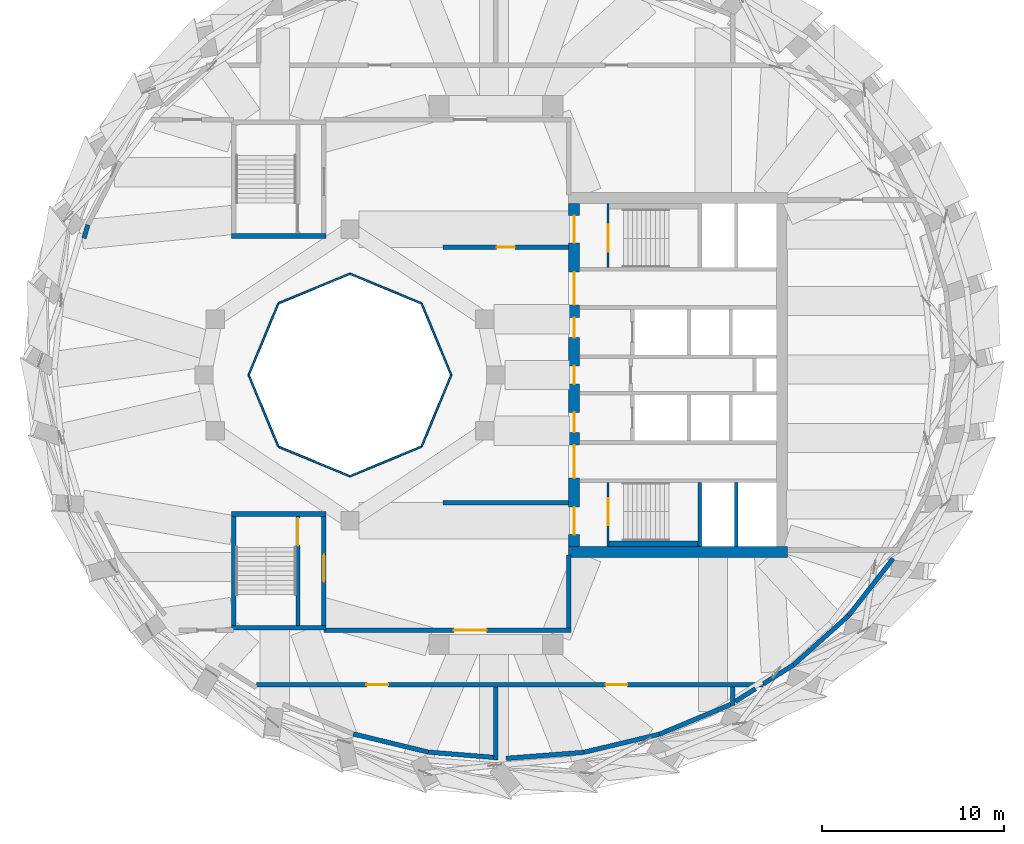
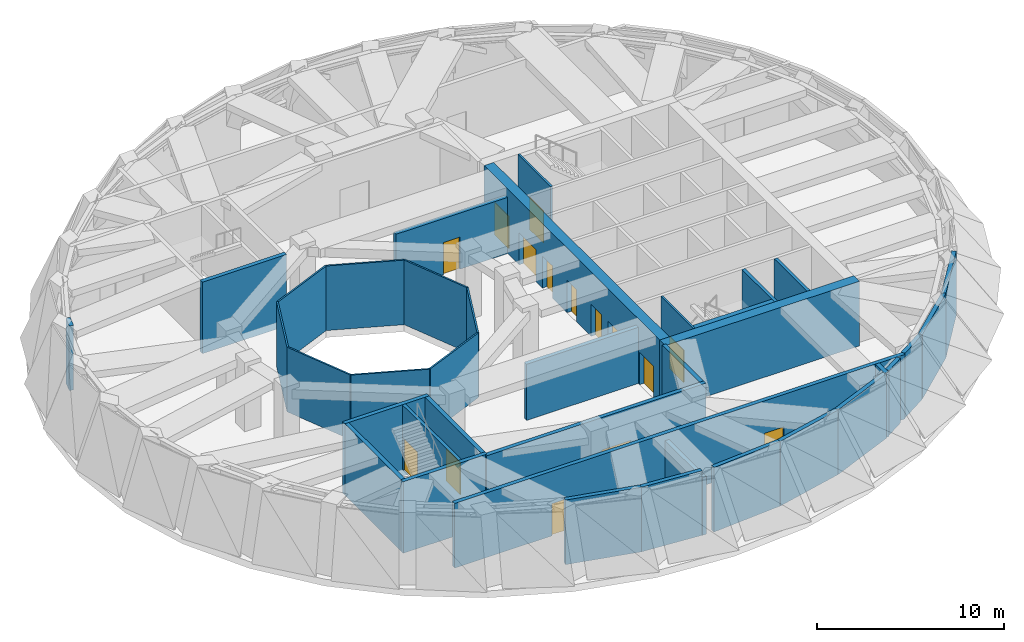
# One storey, part 5 of 14: 38 walls, 15 doors, 15 openings.
"""IFC4 building model written with IfcOpenShell, lengths in metres."""

from ifc_helpers import new_model, si_unit, direction, frame, frame_2d, origin, place, context, subcontext, project, spatial, rectangle, extrude, material, layer, layer_set, type_object, element, fill, save


model = new_model("IFC4")

# Units and contexts
model_context = context("Model", 3, precision=1e-05, world=origin(), true_north=direction((0.0, 1.0)))
body_context = subcontext(model_context, "Body", "Model", "MODEL_VIEW")
ifc_project = project(units=[si_unit("LENGTHUNIT", "METRE"), si_unit("AREAUNIT", "SQUARE_METRE"), si_unit("VOLUMEUNIT", "CUBIC_METRE"), si_unit("PLANEANGLEUNIT", "RADIAN"), si_unit("MASSUNIT", "GRAM", prefix="KILO")], contexts=[model_context])

# Site, building, storey
site_placement = place(None, origin())
site = spatial("IfcSite", under=ifc_project, at=site_placement, CompositionType="ELEMENT")
building_placement = place(site_placement, origin())
building = spatial("IfcBuilding", under=site, at=building_placement, Name="Taillehof Tower", CompositionType="ELEMENT")
storey_placement = place(building_placement, frame((0.0, 0.0, 228.800048828125)))
storey = spatial("IfcBuildingStorey", under=building, at=storey_placement, Name="L65", CompositionType="ELEMENT", Elevation=228.800048828125)

# Walls
ifc_material_1 = material(Name="Fire-resisting glass in steel frame", Category="steel")
ifc_layer_1 = layer(ifc_material_1, 0.10009765625)
ifc_layer_set_1 = layer_set([ifc_layer_1], Name="Atrium fire-resisting screen EI 60 100")
wall_type_1 = type_object("IfcWallType", Name="Atrium fire-resisting screen EI 60 100", PredefinedType="PARTITIONING", material=ifc_layer_set_1)
for number, where, z_axis, x_axis, name in (
    (1, (-2.44580078125, 0.0, 0.0), (0.0, 0.0, 1.0), (-0.382730523909, -0.923860025149, 0.0), "Atrium screen"),
    (2, (-4.07275390625, -3.92724609375, 0.0), (0.0, 0.0, 1.0), (-0.923860025149, -0.382730523909, 0.0), "Atrium screen"),
    (3, (-8.0, -5.55419921875, 0.0), (0.0, 0.0, 1.0), (-0.923860025149, 0.382730523909, 0.0), "Atrium screen"),
    (4, (-11.92724609375, -3.92724609375, 0.0), (0.0, 0.0, 1.0), (-0.382730523909, 0.923860025149, 0.0), "Atrium screen"),
    (5, (-13.55419921875, 0.0, 0.0), (0.0, 0.0, 1.0), (0.382730523909, 0.923860025149, 0.0), "Atrium screen"),
    (6, (-11.92724609375, 3.92724609375, 0.0), (0.0, 0.0, 1.0), (0.923860025149, 0.382730523909, 0.0), "Atrium screen"),
    (7, (-8.0, 5.55419921875, 0.0), (0.0, 0.0, 1.0), (0.923860025149, -0.382730523909, 0.0), "Atrium screen"),
    (8, (-4.07275390625, 3.92724609375, 0.0), (0.0, 0.0, 1.0), (0.382730523909, -0.923860025149, 0.0), "Atrium screen"),
):
    element("IfcWall", number, at=place(storey_placement, frame(where, z_axis=z_axis, x_axis=x_axis)), inside=storey, type_object=wall_type_1, Name=name, PredefinedType="PARTITIONING", context=body_context, shape_type="SweptSolid", body=[
        extrude(rectangle(XDim=4.2509765625, YDim=0.10009765625, at=frame_2d((2.12548828125, 0.0))), origin(), (0.0, 0.0, 1.0), 4.219970703125),
    ])
ifc_material_2 = material(Name="Calcium silicate masonry", Category="masonry")
ifc_layer_2 = layer(ifc_material_2, 0.300048828125)
ifc_layer_set_2 = layer_set([ifc_layer_2], Name="Compartment wall lining calcium silicate 300")
wall_type_2 = type_object("IfcWallType", Name="Compartment wall lining calcium silicate 300", PredefinedType="PARTITIONING", material=ifc_layer_set_2)
wall_1_placement = place(storey_placement, frame((6.219970703125, -9.25, 0.0), z_axis=(0.0, 0.0, 1.0), x_axis=(1.0, 0.0, 0.0)))
element("IfcWall", 9, at=wall_1_placement, inside=storey, type_object=wall_type_2, Name="Compartment wall FW", PredefinedType="PARTITIONING", context=body_context, shape_type="SweptSolid", body=[
    extrude(rectangle(XDim=4.880126953125, YDim=0.300048828125, at=frame_2d((2.43994140625, 0.0))), origin(), (0.0, 0.0, 1.0), 4.219970703125),
])

# Wall, openings, doors
ifc_material_3 = material(Name="Concrete C80/95", Category="concrete")
ifc_layer_3 = layer(ifc_material_3, 0.60009765625)
ifc_layer_set_3 = layer_set([ifc_layer_3], Name="Core wall C80/95 600")
wall_type_3 = type_object("IfcWallType", Name="Core wall C80/95 600", PredefinedType="SHEAR", material=ifc_layer_set_3)
wall_2_placement = place(storey_placement, frame((4.300048828125, -9.39990234375, 0.0), z_axis=(0.0, 0.0, 1.0), x_axis=(0.0, 1.0, 0.0)))
wall_2 = element("IfcWall", 10, at=wall_2_placement, inside=storey, type_object=wall_type_3, Name="Core wall CW01", PredefinedType="SHEAR", context=body_context, shape_type="SweptSolid", body=[
    extrude(rectangle(XDim=18.7998046875, YDim=0.60009765625, at=frame_2d((9.39990234375, 0.0))), origin(), (0.0, 0.0, 1.0), 4.219970703125),
])
opening_1_placement = place(wall_2_placement, frame((0.64990234375, 0.0, 0.0)))
opening_1 = element("IfcOpeningElement", 11, at=opening_1_placement, cuts=wall_2, Name="Opening D6501", PredefinedType="OPENING", context=body_context, shape_type="SweptSolid", body=[
    extrude(rectangle(XDim=1.5, YDim=2.10009765625, at=frame_2d((0.75, 1.050048828125))), frame((0.0, 0.31005859375, 0.0), z_axis=(0.0, -1.0, 0.0), x_axis=(1.0, 0.0, 0.0)), (0.0, 0.0, 1.0), 0.6201171875),
])
opening_2_placement = place(wall_2_placement, frame((3.75, 0.0, 0.0)))
opening_2 = element("IfcOpeningElement", 12, at=opening_2_placement, cuts=wall_2, Name="Opening D6502", PredefinedType="OPENING", context=body_context, shape_type="SweptSolid", body=[
    extrude(rectangle(XDim=1.800048828125, YDim=2.10009765625, at=frame_2d((0.89990234375, 1.050048828125))), frame((0.0, 0.31005859375, 0.0), z_axis=(0.0, -1.0, 0.0), x_axis=(1.0, 0.0, 0.0)), (0.0, 0.0, 1.0), 0.6201171875),
])
opening_3_placement = place(wall_2_placement, frame((6.25, 0.0, 0.0)))
opening_3 = element("IfcOpeningElement", 13, at=opening_3_placement, cuts=wall_2, Name="Opening D6503", PredefinedType="OPENING", context=body_context, shape_type="SweptSolid", body=[
    extrude(rectangle(XDim=1.10009765625, YDim=2.10009765625, at=frame_2d((0.550048828125, 1.050048828125))), frame((0.0, 0.31005859375, 0.0), z_axis=(0.0, -1.0, 0.0), x_axis=(1.0, 0.0, 0.0)), (0.0, 0.0, 1.0), 0.6201171875),
])
opening_4_placement = place(wall_2_placement, frame((8.89990234375, 0.0, 0.0)))
opening_4 = element("IfcOpeningElement", 14, at=opening_4_placement, cuts=wall_2, Name="Opening D6504", PredefinedType="OPENING", context=body_context, shape_type="SweptSolid", body=[
    extrude(rectangle(XDim=1.0, YDim=2.10009765625, at=frame_2d((0.5, 1.050048828125))), frame((0.0, 0.31005859375, 0.0), z_axis=(0.0, -1.0, 0.0), x_axis=(1.0, 0.0, 0.0)), (0.0, 0.0, 1.0), 0.6201171875),
])
opening_5_placement = place(wall_2_placement, frame((11.449951171875, 0.0, 0.0)))
opening_5 = element("IfcOpeningElement", 15, at=opening_5_placement, cuts=wall_2, Name="Opening D6505", PredefinedType="OPENING", context=body_context, shape_type="SweptSolid", body=[
    extrude(rectangle(XDim=1.10009765625, YDim=2.10009765625, at=frame_2d((0.550048828125, 1.050048828125))), frame((0.0, 0.31005859375, 0.0), z_axis=(0.0, -1.0, 0.0), x_axis=(1.0, 0.0, 0.0)), (0.0, 0.0, 1.0), 0.6201171875),
])
opening_6_placement = place(wall_2_placement, frame((13.25, 0.0, 0.0)))
opening_6 = element("IfcOpeningElement", 16, at=opening_6_placement, cuts=wall_2, Name="Opening D6506", PredefinedType="OPENING", context=body_context, shape_type="SweptSolid", body=[
    extrude(rectangle(XDim=1.800048828125, YDim=2.10009765625, at=frame_2d((0.89990234375, 1.050048828125))), frame((0.0, 0.31005859375, 0.0), z_axis=(0.0, -1.0, 0.0), x_axis=(1.0, 0.0, 0.0)), (0.0, 0.0, 1.0), 0.6201171875),
])
opening_7_placement = place(wall_2_placement, frame((16.64990234375, 0.0, 0.0)))
opening_7 = element("IfcOpeningElement", 17, at=opening_7_placement, cuts=wall_2, Name="Opening D6507", PredefinedType="OPENING", context=body_context, shape_type="SweptSolid", body=[
    extrude(rectangle(XDim=1.5, YDim=2.10009765625, at=frame_2d((0.75, 1.050048828125))), frame((0.0, 0.31005859375, 0.0), z_axis=(0.0, -1.0, 0.0), x_axis=(1.0, 0.0, 0.0)), (0.0, 0.0, 1.0), 0.6201171875),
])
ifc_material_4 = material(Name="Steel-faced fire door", Category="steel")
door_type_1 = type_object("IfcDoorType", Name="Firefighting lobby door 1100x2100", OperationType="SINGLE_SWING_RIGHT", PredefinedType="DOOR", material=ifc_material_4)
door_1_placement = place(opening_3_placement, origin())
door_1 = element("IfcDoor", 18, at=door_1_placement, inside=storey, type_object=door_type_1, Name="Firefighting lobby door FFL-S", OperationType="SINGLE_SWING_RIGHT", OverallHeight=2.10009765625, OverallWidth=1.10009765625, PredefinedType="DOOR", context=body_context, shape_type="SweptSolid", body=[
    extrude(rectangle(XDim=1.10009765625, YDim=2.10009765625, at=frame_2d((0.550048828125, 1.050048828125))), frame((0.0, 0.02490234375, 0.0), z_axis=(0.0, -1.0, 0.0), x_axis=(1.0, 0.0, 0.0)), (0.0, 0.0, 1.0), 0.050048828125),
])
fill(opening_3, door_1)
door_2_placement = place(opening_5_placement, origin())
door_2 = element("IfcDoor", 19, at=door_2_placement, inside=storey, type_object=door_type_1, Name="Firefighting lobby door FFL-N", OperationType="SINGLE_SWING_LEFT", OverallHeight=2.10009765625, OverallWidth=1.10009765625, PredefinedType="DOOR", context=body_context, shape_type="SweptSolid", body=[
    extrude(rectangle(XDim=1.10009765625, YDim=2.10009765625, at=frame_2d((0.550048828125, 1.050048828125))), frame((0.0, 0.02490234375, 0.0), z_axis=(0.0, -1.0, 0.0), x_axis=(1.0, 0.0, 0.0)), (0.0, 0.0, 1.0), 0.050048828125),
])
fill(opening_5, door_2)
ifc_material_5 = material(Name="Steel-faced fire door", Category="steel")
door_type_2 = type_object("IfcDoorType", Name="Lift lobby door 1800x2100", OperationType="DOUBLE_DOOR_SINGLE_SWING", PredefinedType="DOOR", material=ifc_material_5)
door_3_placement = place(opening_2_placement, origin())
door_3 = element("IfcDoor", 20, at=door_3_placement, inside=storey, type_object=door_type_2, Name="Lift lobby door LL-S", OperationType="DOUBLE_DOOR_SINGLE_SWING", OverallHeight=2.10009765625, OverallWidth=1.800048828125, PredefinedType="DOOR", context=body_context, shape_type="SweptSolid", body=[
    extrude(rectangle(XDim=1.800048828125, YDim=2.10009765625, at=frame_2d((0.89990234375, 1.050048828125))), frame((0.0, 0.02490234375, 0.0), z_axis=(0.0, -1.0, 0.0), x_axis=(1.0, 0.0, 0.0)), (0.0, 0.0, 1.0), 0.050048828125),
])
fill(opening_2, door_3)
door_4_placement = place(opening_6_placement, origin())
door_4 = element("IfcDoor", 21, at=door_4_placement, inside=storey, type_object=door_type_2, Name="Lift lobby door LL-N", OperationType="DOUBLE_DOOR_SINGLE_SWING", OverallHeight=2.10009765625, OverallWidth=1.800048828125, PredefinedType="DOOR", context=body_context, shape_type="SweptSolid", body=[
    extrude(rectangle(XDim=1.800048828125, YDim=2.10009765625, at=frame_2d((0.89990234375, 1.050048828125))), frame((0.0, 0.02490234375, 0.0), z_axis=(0.0, -1.0, 0.0), x_axis=(1.0, 0.0, 0.0)), (0.0, 0.0, 1.0), 0.050048828125),
])
fill(opening_6, door_4)
ifc_material_6 = material(Name="Steel-faced fire door", Category="steel")
door_type_3 = type_object("IfcDoorType", Name="Service door 1000x2100", OperationType="SINGLE_SWING_RIGHT", PredefinedType="DOOR", material=ifc_material_6)
door_5_placement = place(opening_4_placement, origin())
door_5 = element("IfcDoor", 22, at=door_5_placement, inside=storey, type_object=door_type_3, Name="Service door SV", OperationType="SINGLE_SWING_RIGHT", OverallHeight=2.10009765625, OverallWidth=1.0, PredefinedType="DOOR", context=body_context, shape_type="SweptSolid", body=[
    extrude(rectangle(XDim=1.0, YDim=2.10009765625, at=frame_2d((0.5, 1.050048828125))), frame((0.0, 0.02490234375, 0.0), z_axis=(0.0, -1.0, 0.0), x_axis=(1.0, 0.0, 0.0)), (0.0, 0.0, 1.0), 0.050048828125),
])
fill(opening_4, door_5)
ifc_material_7 = material(Name="Steel-faced fire door", Category="steel")
door_type_4 = type_object("IfcDoorType", Name="Stair door 1500x2100", OperationType="DOUBLE_DOOR_SINGLE_SWING", PredefinedType="DOOR", material=ifc_material_7)
door_6_placement = place(opening_1_placement, origin())
door_6 = element("IfcDoor", 23, at=door_6_placement, inside=storey, type_object=door_type_4, Name="Stair door S2", OperationType="DOUBLE_DOOR_SINGLE_SWING", OverallHeight=2.10009765625, OverallWidth=1.5, PredefinedType="DOOR", context=body_context, shape_type="SweptSolid", body=[
    extrude(rectangle(XDim=1.5, YDim=2.10009765625, at=frame_2d((0.75, 1.050048828125))), frame((0.0, 0.02490234375, 0.0), z_axis=(0.0, -1.0, 0.0), x_axis=(1.0, 0.0, 0.0)), (0.0, 0.0, 1.0), 0.050048828125),
])
fill(opening_1, door_6)
door_7_placement = place(opening_7_placement, origin())
door_7 = element("IfcDoor", 24, at=door_7_placement, inside=storey, type_object=door_type_4, Name="Stair door S1", OperationType="DOUBLE_DOOR_SINGLE_SWING", OverallHeight=2.10009765625, OverallWidth=1.5, PredefinedType="DOOR", context=body_context, shape_type="SweptSolid", body=[
    extrude(rectangle(XDim=1.5, YDim=2.10009765625, at=frame_2d((0.75, 1.050048828125))), frame((0.0, 0.02490234375, 0.0), z_axis=(0.0, -1.0, 0.0), x_axis=(1.0, 0.0, 0.0)), (0.0, 0.0, 1.0), 0.050048828125),
])
fill(opening_7, door_7)

# Walls
wall_3_placement = place(storey_placement, frame((4.0, -9.699951171875, 0.0), z_axis=(0.0, 0.0, 1.0), x_axis=(1.0, 0.0, 0.0)))
element("IfcWall", 25, at=wall_3_placement, inside=storey, type_object=wall_type_3, Name="Core wall CW07", PredefinedType="SHEAR", context=body_context, shape_type="SweptSolid", body=[
    extrude(rectangle(XDim=12.0, YDim=0.60009765625, at=frame_2d((6.0, 0.0))), origin(), (0.0, 0.0, 1.0), 4.219970703125),
])
ifc_material_8 = material(Name="Calcium silicate blockwork", Category="masonry")
ifc_layer_4 = layer(ifc_material_8, 0.25)
ifc_layer_set_4 = layer_set([ifc_layer_4], Name="Fire-resisting wall EI 120 250 mm")
wall_type_4 = type_object("IfcWallType", Name="Fire-resisting wall EI 120 250 mm", PredefinedType="PARTITIONING", material=ifc_layer_set_4)
wall_4_placement = place(storey_placement, frame((14.686279296875, -16.936767578125, 0.0), z_axis=(0.0, 0.0, 1.0), x_axis=(0.847218267391, 0.53124495988, 0.0)))
element("IfcWall", 26, at=wall_4_placement, inside=storey, type_object=wall_type_4, Name="Wall TRB / L65-05", PredefinedType="PARTITIONING", context=body_context, shape_type="SweptSolid", body=[
    extrude(rectangle(XDim=1.9541015625, YDim=0.25, at=frame_2d((0.97705078125, 0.0))), origin(), (0.0, 0.0, 1.0), 4.219970703125),
])
wall_5_placement = place(storey_placement, frame((16.341796875, -15.898681640625, 0.0), z_axis=(0.0, 0.0, 1.0), x_axis=(0.744902138238, 0.667173743824, 0.0)))
element("IfcWall", 27, at=wall_5_placement, inside=storey, type_object=wall_type_4, Name="Wall TRB / L65-05", PredefinedType="PARTITIONING", context=body_context, shape_type="SweptSolid", body=[
    extrude(rectangle(XDim=4.048583984375, YDim=0.25, at=frame_2d((2.0244140625, 0.0))), origin(), (0.0, 0.0, 1.0), 4.219970703125),
])
wall_6_placement = place(storey_placement, frame((19.357666015625, -13.197509765625, 0.0), z_axis=(0.0, 0.0, 1.0), x_axis=(0.615665549252, 0.78800757069, 0.0)))
element("IfcWall", 28, at=wall_6_placement, inside=storey, type_object=wall_type_4, Name="Wall TRB / L65-05", PredefinedType="PARTITIONING", context=body_context, shape_type="SweptSolid", body=[
    extrude(rectangle(XDim=3.965087890625, YDim=0.25, at=frame_2d((1.982421875, 0.0))), origin(), (0.0, 0.0, 1.0), 4.219970703125),
])
wall_7_placement = place(storey_placement, frame((-22.37548828125, 8.23583984375, 0.0), z_axis=(0.0, 0.0, 1.0), x_axis=(-0.284077498489, -0.958801321887, 0.0)))
element("IfcWall", 29, at=wall_7_placement, inside=storey, type_object=wall_type_4, Name="Wall TRB / L65-13", PredefinedType="PARTITIONING", context=body_context, shape_type="SweptSolid", body=[
    extrude(rectangle(XDim=0.767578125, YDim=0.25, at=frame_2d((0.3837890625, 0.0))), origin(), (0.0, 0.0, 1.0), 4.219970703125),
])
wall_8_placement = place(storey_placement, frame((-7.813720703125, -19.69189453125, 0.0), z_axis=(0.0, 0.0, 1.0), x_axis=(0.971926727308, -0.235283736675, 0.0)))
element("IfcWall", 30, at=wall_8_placement, inside=storey, type_object=wall_type_4, Name="Wall TRB / L65-11", PredefinedType="PARTITIONING", context=body_context, shape_type="SweptSolid", body=[
    extrude(rectangle(XDim=4.241943359375, YDim=0.25, at=frame_2d((2.12109375, 0.0))), origin(), (0.0, 0.0, 1.0), 4.219970703125),
])
wall_9_placement = place(storey_placement, frame((-3.69091796875, -20.68994140625, 0.0), z_axis=(0.0, 0.0, 1.0), x_axis=(0.996823497961, -0.079642412771, 0.0)))
element("IfcWall", 31, at=wall_9_placement, inside=storey, type_object=wall_type_4, Name="Wall TRB / L65-11", PredefinedType="PARTITIONING", context=body_context, shape_type="SweptSolid", body=[
    extrude(rectangle(XDim=3.586669921875, YDim=0.25, at=frame_2d((1.79345703125, 0.0))), origin(), (0.0, 0.0, 1.0), 4.219970703125),
])
wall_10_placement = place(storey_placement, frame((0.568603515625, -21.030517578125, 0.0), z_axis=(0.0, 0.0, 1.0), x_axis=(0.997014711733, 0.077211816374, 0.0)))
element("IfcWall", 32, at=wall_10_placement, inside=storey, type_object=wall_type_4, Name="Wall TRB / L65-12", PredefinedType="PARTITIONING", context=body_context, shape_type="SweptSolid", body=[
    extrude(rectangle(XDim=4.27490234375, YDim=0.25, at=frame_2d((2.137451171875, 0.0))), origin(), (0.0, 0.0, 1.0), 4.219970703125),
])
wall_11_placement = place(storey_placement, frame((4.830810546875, -20.700439453125, 0.0), z_axis=(0.0, 0.0, 1.0), x_axis=(0.972536224535, 0.232751567056, 0.0)))
element("IfcWall", 33, at=wall_11_placement, inside=storey, type_object=wall_type_4, Name="Wall TRB / L65-12", PredefinedType="PARTITIONING", context=body_context, shape_type="SweptSolid", body=[
    extrude(rectangle(XDim=4.250244140625, YDim=0.25, at=frame_2d((2.125, 0.0))), origin(), (0.0, 0.0, 1.0), 4.219970703125),
])
wall_12_placement = place(storey_placement, frame((8.96435546875, -19.711181640625, 0.0), z_axis=(0.0, 0.0, 1.0), x_axis=(0.922871881565, 0.38510711525, 0.0)))
element("IfcWall", 34, at=wall_12_placement, inside=storey, type_object=wall_type_4, Name="Wall TRB / L65-12", PredefinedType="PARTITIONING", context=body_context, shape_type="SweptSolid", body=[
    extrude(rectangle(XDim=4.26513671875, YDim=0.25, at=frame_2d((2.132568359375, 0.0))), origin(), (0.0, 0.0, 1.0), 4.219970703125),
])
wall_13_placement = place(storey_placement, frame((13.1376953125, -17.907470703125, 0.0), z_axis=(0.0, 0.0, 1.0), x_axis=(0.84728708842, 0.531135189756, 0.0)))
element("IfcWall", 35, at=wall_13_placement, inside=storey, type_object=wall_type_4, Name="Wall TRB / X1", PredefinedType="PARTITIONING", context=body_context, shape_type="SweptSolid", body=[
    extrude(rectangle(XDim=1.312744140625, YDim=0.25, at=frame_2d((0.65625, 0.0))), origin(), (0.0, 0.0, 1.0), 4.219970703125),
])

# Wall, openings, doors
wall_14_placement = place(storey_placement, frame((-13.125, -17.0, 0.0), z_axis=(0.0, 0.0, 1.0), x_axis=(1.0, 0.0, 0.0)))
wall_14 = element("IfcWall", 36, at=wall_14_placement, inside=storey, type_object=wall_type_4, Name="Wall L65-05 / L65-11", PredefinedType="PARTITIONING", context=body_context, shape_type="SweptSolid", body=[
    extrude(rectangle(XDim=27.83544921875, YDim=0.25, at=frame_2d((13.917724609375, 0.0))), origin(), (0.0, 0.0, 1.0), 4.219970703125),
])
opening_8_placement = place(wall_14_placement, frame((6.02490234375, 0.0, 0.0)))
opening_8 = element("IfcOpeningElement", 37, at=opening_8_placement, cuts=wall_14, Name="Opening D6541", PredefinedType="OPENING", context=body_context, shape_type="SweptSolid", body=[
    extrude(rectangle(XDim=1.199951171875, YDim=2.10009765625, at=frame_2d((0.60009765625, 1.050048828125))), frame((0.0, 0.135009765625, 0.0), z_axis=(0.0, -1.0, 0.0), x_axis=(1.0, 0.0, 0.0)), (0.0, 0.0, 1.0), 0.27001953125),
])
opening_9_placement = place(wall_14_placement, frame((19.14990234375, 0.0, 0.0)))
opening_9 = element("IfcOpeningElement", 38, at=opening_9_placement, cuts=wall_14, Name="Opening D6542", PredefinedType="OPENING", context=body_context, shape_type="SweptSolid", body=[
    extrude(rectangle(XDim=1.199951171875, YDim=2.10009765625, at=frame_2d((0.60009765625, 1.050048828125))), frame((0.0, 0.135009765625, 0.0), z_axis=(0.0, -1.0, 0.0), x_axis=(1.0, 0.0, 0.0)), (0.0, 0.0, 1.0), 0.27001953125),
])
ifc_material_9 = material(Name="Hollow metal door set")
door_type_5 = type_object("IfcDoorType", Name="Single door 1200 x 2100 FD120S", OperationType="SINGLE_SWING_LEFT", PredefinedType="DOOR", material=ifc_material_9)
door_8_placement = place(opening_8_placement, origin())
door_8 = element("IfcDoor", 39, at=door_8_placement, inside=storey, type_object=door_type_5, Name="Door D6541", OperationType="SINGLE_SWING_RIGHT", OverallHeight=2.10009765625, OverallWidth=1.199951171875, PredefinedType="DOOR", context=body_context, shape_type="SweptSolid", body=[
    extrude(rectangle(XDim=1.199951171875, YDim=2.10009765625, at=frame_2d((0.60009765625, 1.050048828125))), frame((0.0, 0.02490234375, 0.0), z_axis=(0.0, -1.0, 0.0), x_axis=(1.0, 0.0, 0.0)), (0.0, 0.0, 1.0), 0.050048828125),
])
fill(opening_8, door_8)
door_9_placement = place(opening_9_placement, origin())
door_9 = element("IfcDoor", 40, at=door_9_placement, inside=storey, type_object=door_type_5, Name="Door D6542", OperationType="SINGLE_SWING_LEFT", OverallHeight=2.10009765625, OverallWidth=1.199951171875, PredefinedType="DOOR", context=body_context, shape_type="SweptSolid", body=[
    extrude(rectangle(XDim=1.199951171875, YDim=2.10009765625, at=frame_2d((0.60009765625, 1.050048828125))), frame((0.0, 0.02490234375, 0.0), z_axis=(0.0, -1.0, 0.0), x_axis=(1.0, 0.0, 0.0)), (0.0, 0.0, 1.0), 0.050048828125),
])
fill(opening_9, door_9)

# Wall, opening, door
wall_15_placement = place(storey_placement, frame((-9.425048828125, -14.0, 0.0), z_axis=(0.0, 0.0, 1.0), x_axis=(1.0, 0.0, 0.0)))
wall_15 = element("IfcWall", 41, at=wall_15_placement, inside=storey, type_object=wall_type_4, Name="Wall L65-02 / L65-05", PredefinedType="PARTITIONING", context=body_context, shape_type="SweptSolid", body=[
    extrude(rectangle(XDim=13.550048828125, YDim=0.25, at=frame_2d((6.77490234375, 0.0))), origin(), (0.0, 0.0, 1.0), 4.219970703125),
])
opening_10_placement = place(wall_15_placement, frame((7.125, 0.0, 0.0)))
opening_10 = element("IfcOpeningElement", 42, at=opening_10_placement, cuts=wall_15, Name="Opening D6544", PredefinedType="OPENING", context=body_context, shape_type="SweptSolid", body=[
    extrude(rectangle(XDim=1.800048828125, YDim=2.10009765625, at=frame_2d((0.89990234375, 1.050048828125))), frame((0.0, 0.135009765625, 0.0), z_axis=(0.0, -1.0, 0.0), x_axis=(1.0, 0.0, 0.0)), (0.0, 0.0, 1.0), 0.27001953125),
])
ifc_material_10 = material(Name="Hollow metal door set")
door_type_6 = type_object("IfcDoorType", Name="Double door 1800 x 2100 FD120S", OperationType="DOUBLE_DOOR_SINGLE_SWING", PredefinedType="DOOR", material=ifc_material_10)
door_10_placement = place(opening_10_placement, origin())
door_10 = element("IfcDoor", 43, at=door_10_placement, inside=storey, type_object=door_type_6, Name="Door D6544", OperationType="DOUBLE_DOOR_SINGLE_SWING", OverallHeight=2.10009765625, OverallWidth=1.800048828125, PredefinedType="DOOR", context=body_context, shape_type="SweptSolid", body=[
    extrude(rectangle(XDim=1.800048828125, YDim=2.10009765625, at=frame_2d((0.89990234375, 1.050048828125))), frame((0.0, 0.02490234375, 0.0), z_axis=(0.0, -1.0, 0.0), x_axis=(1.0, 0.0, 0.0)), (0.0, 0.0, 1.0), 0.050048828125),
])
fill(opening_10, door_10)

# Wall
wall_16_placement = place(storey_placement, frame((-2.902099609375, -7.0, 0.0), z_axis=(0.0, 0.0, 1.0), x_axis=(1.0, 0.0, 0.0)))
element("IfcWall", 44, at=wall_16_placement, inside=storey, type_object=wall_type_4, Name="Wall L65-02 / L65-03", PredefinedType="PARTITIONING", context=body_context, shape_type="SweptSolid", body=[
    extrude(rectangle(XDim=6.904052734375, YDim=0.25, at=frame_2d((3.4521484375, 0.0))), origin(), (0.0, 0.0, 1.0), 3.669921875),
])

# Wall, opening, door
wall_17_placement = place(storey_placement, frame((-2.902099609375, 7.0, 0.0), z_axis=(0.0, 0.0, 1.0), x_axis=(1.0, 0.0, 0.0)))
wall_17 = element("IfcWall", 45, at=wall_17_placement, inside=storey, type_object=wall_type_4, Name="Wall L65-01 / L65-03", PredefinedType="PARTITIONING", context=body_context, shape_type="SweptSolid", body=[
    extrude(rectangle(XDim=6.904052734375, YDim=0.25, at=frame_2d((3.4521484375, 0.0))), origin(), (0.0, 0.0, 1.0), 3.669921875),
])
opening_11_placement = place(wall_17_placement, frame((2.951904296875, 0.0, 0.0)))
opening_11 = element("IfcOpeningElement", 46, at=opening_11_placement, cuts=wall_17, Name="Opening D6545", PredefinedType="OPENING", context=body_context, shape_type="SweptSolid", body=[
    extrude(rectangle(XDim=1.0, YDim=2.10009765625, at=frame_2d((0.5, 1.050048828125))), frame((0.0, 0.135009765625, 0.0), z_axis=(0.0, -1.0, 0.0), x_axis=(1.0, 0.0, 0.0)), (0.0, 0.0, 1.0), 0.27001953125),
])
ifc_material_11 = material(Name="Hollow metal door set")
door_type_7 = type_object("IfcDoorType", Name="Single door 1000 x 2100 FD120S", OperationType="SINGLE_SWING_LEFT", PredefinedType="DOOR", material=ifc_material_11)
door_11_placement = place(opening_11_placement, origin())
door_11 = element("IfcDoor", 47, at=door_11_placement, inside=storey, type_object=door_type_7, Name="Door D6545", OperationType="SINGLE_SWING_RIGHT", OverallHeight=2.10009765625, OverallWidth=1.0, PredefinedType="DOOR", context=body_context, shape_type="SweptSolid", body=[
    extrude(rectangle(XDim=1.0, YDim=2.10009765625, at=frame_2d((0.5, 1.050048828125))), frame((0.0, 0.02490234375, 0.0), z_axis=(0.0, -1.0, 0.0), x_axis=(1.0, 0.0, 0.0)), (0.0, 0.0, 1.0), 0.050048828125),
])
fill(opening_11, door_11)

# Walls
wall_18_placement = place(storey_placement, frame((0.0, -21.110107421875, 0.0), z_axis=(0.0, 0.0, 1.0), x_axis=(0.0, 1.0, 0.0)))
element("IfcWall", 48, at=wall_18_placement, inside=storey, type_object=wall_type_4, Name="Wall L65-11 / L65-12", PredefinedType="PARTITIONING", context=body_context, shape_type="SweptSolid", body=[
    extrude(rectangle(XDim=3.985107421875, YDim=0.25, at=frame_2d((1.99267578125, 0.0))), origin(), (0.0, 0.0, 1.0), 3.77001953125),
])
wall_19_placement = place(storey_placement, frame((4.0, -13.875, 0.0), z_axis=(0.0, 0.0, 1.0), x_axis=(0.0, 1.0, 0.0)))
element("IfcWall", 49, at=wall_19_placement, inside=storey, type_object=wall_type_4, Name="Wall L65-02 / L65-05", PredefinedType="PARTITIONING", context=body_context, shape_type="SweptSolid", body=[
    extrude(rectangle(XDim=4.0, YDim=0.25, at=frame_2d((2.0, 0.0))), origin(), (0.0, 0.0, 1.0), 4.219970703125),
])
wall_20_placement = place(storey_placement, frame((13.0, -18.118896484375, 0.0), z_axis=(0.0, 0.0, 1.0), x_axis=(0.0, 1.0, 0.0)))
element("IfcWall", 50, at=wall_20_placement, inside=storey, type_object=wall_type_4, Name="Wall L65-12 / X1", PredefinedType="PARTITIONING", context=body_context, shape_type="SweptSolid", body=[
    extrude(rectangle(XDim=0.993896484375, YDim=0.25, at=frame_2d((0.4970703125, 0.0))), origin(), (0.0, 0.0, 1.0), 4.219970703125),
])
ifc_material_12 = material(Name="Concrete C50/60", Category="concrete")
ifc_layer_5 = layer(ifc_material_12, 0.199951171875)
ifc_layer_set_5 = layer_set([ifc_layer_5], Name="Shaft wall C50/60 200")
wall_type_5 = type_object("IfcWallType", Name="Shaft wall C50/60 200", PredefinedType="SHEAR", material=ifc_layer_set_5)
for number, where, z_axis, x_axis, name in (
    (51, (11.199951171875, -9.39990234375, 0.0), (0.0, 0.0, 1.0), (0.0, 1.0, 0.0), "Shaft wall SW"),
    (52, (13.199951171875, -9.39990234375, 0.0), (0.0, 0.0, 1.0), (0.0, 1.0, 0.0), "Shaft wall SW"),
):
    element("IfcWall", number, at=place(storey_placement, frame(where, z_axis=z_axis, x_axis=x_axis)), inside=storey, type_object=wall_type_5, Name=name, PredefinedType="SHEAR", context=body_context, shape_type="SweptSolid", body=[
        extrude(rectangle(XDim=3.5, YDim=0.199951171875, at=frame_2d((1.75, 0.0))), origin(), (0.0, 0.0, 1.0), 4.219970703125),
    ])

# Wall, opening, door
wall_21_placement = place(storey_placement, frame((-10.85009765625, -13.75, 0.0), z_axis=(0.0, 0.0, 1.0), x_axis=(0.0, 1.0, 0.0)))
wall_21 = element("IfcWall", 53, at=wall_21_placement, inside=storey, type_object=wall_type_5, Name="Shaft wall SW", PredefinedType="SHEAR", context=body_context, shape_type="SweptSolid", body=[
    extrude(rectangle(XDim=6.0, YDim=0.199951171875, at=frame_2d((3.0, 0.0))), origin(), (0.0, 0.0, 1.0), 4.219970703125),
])
opening_12_placement = place(wall_21_placement, frame((4.39990234375, 0.0, 0.0)))
opening_12 = element("IfcOpeningElement", 54, at=opening_12_placement, cuts=wall_21, Name="Opening D6511", PredefinedType="OPENING", context=body_context, shape_type="SweptSolid", body=[
    extrude(rectangle(XDim=1.5, YDim=2.10009765625, at=frame_2d((0.75, 1.050048828125))), frame((0.0, 0.10986328125, 0.0), z_axis=(0.0, -1.0, 0.0), x_axis=(1.0, 0.0, 0.0)), (0.0, 0.0, 1.0), 0.219970703125),
])
door_12_placement = place(opening_12_placement, origin())
door_12 = element("IfcDoor", 55, at=door_12_placement, inside=storey, type_object=door_type_4, Name="Stair lobby door S4", OperationType="DOUBLE_DOOR_SINGLE_SWING", OverallHeight=2.10009765625, OverallWidth=1.5, PredefinedType="DOOR", context=body_context, shape_type="SweptSolid", body=[
    extrude(rectangle(XDim=1.5, YDim=2.10009765625, at=frame_2d((0.75, 1.050048828125))), frame((0.0, 0.02490234375, 0.0), z_axis=(0.0, -1.0, 0.0), x_axis=(1.0, 0.0, 0.0)), (0.0, 0.0, 1.0), 0.050048828125),
])
fill(opening_12, door_12)

ifc_material_13 = material(Name="Concrete C50/60", Category="concrete")
ifc_layer_6 = layer(ifc_material_13, 0.1201171875)
ifc_layer_set_6 = layer_set([ifc_layer_6], Name="Stair lobby wall C50/60 120")
wall_type_6 = type_object("IfcWallType", Name="Stair lobby wall C50/60 120", PredefinedType="SHEAR", material=ifc_layer_set_6)
wall_22_placement = place(storey_placement, frame((6.159912109375, 5.89990234375, 0.0), z_axis=(0.0, 0.0, 1.0), x_axis=(0.0, 1.0, 0.0)))
wall_22 = element("IfcWall", 56, at=wall_22_placement, inside=storey, type_object=wall_type_6, Name="Compartment wall SW", PredefinedType="SHEAR", context=body_context, shape_type="SweptSolid", body=[
    extrude(rectangle(XDim=3.5, YDim=0.1201171875, at=frame_2d((1.75, 0.0))), origin(), (0.0, 0.0, 1.0), 4.219970703125),
])
opening_13_placement = place(wall_22_placement, frame((0.85009765625, 0.0, 0.0)))
opening_13 = element("IfcOpeningElement", 57, at=opening_13_placement, cuts=wall_22, Name="Opening D6508", PredefinedType="OPENING", context=body_context, shape_type="SweptSolid", body=[
    extrude(rectangle(XDim=1.5, YDim=2.10009765625, at=frame_2d((0.75, 1.050048828125))), frame((0.0, 0.070068359375, 0.0), z_axis=(0.0, -1.0, 0.0), x_axis=(1.0, 0.0, 0.0)), (0.0, 0.0, 1.0), 0.14013671875),
])
door_13_placement = place(opening_13_placement, origin())
door_13 = element("IfcDoor", 58, at=door_13_placement, inside=storey, type_object=door_type_4, Name="Stair lobby door S1", OperationType="DOUBLE_DOOR_SINGLE_SWING", OverallHeight=2.10009765625, OverallWidth=1.5, PredefinedType="DOOR", context=body_context, shape_type="SweptSolid", body=[
    extrude(rectangle(XDim=1.5, YDim=2.10009765625, at=frame_2d((0.75, 1.050048828125))), frame((0.0, 0.02490234375, 0.0), z_axis=(0.0, -1.0, 0.0), x_axis=(1.0, 0.0, 0.0)), (0.0, 0.0, 1.0), 0.050048828125),
])
fill(opening_13, door_13)

wall_23_placement = place(storey_placement, frame((6.159912109375, -9.39990234375, 0.0), z_axis=(0.0, 0.0, 1.0), x_axis=(0.0, 1.0, 0.0)))
wall_23 = element("IfcWall", 59, at=wall_23_placement, inside=storey, type_object=wall_type_6, Name="Compartment wall SW", PredefinedType="SHEAR", context=body_context, shape_type="SweptSolid", body=[
    extrude(rectangle(XDim=3.5, YDim=0.1201171875, at=frame_2d((1.75, 0.0))), origin(), (0.0, 0.0, 1.0), 4.219970703125),
])
opening_14_placement = place(wall_23_placement, frame((1.14990234375, 0.0, 0.0)))
opening_14 = element("IfcOpeningElement", 60, at=opening_14_placement, cuts=wall_23, Name="Opening D6509", PredefinedType="OPENING", context=body_context, shape_type="SweptSolid", body=[
    extrude(rectangle(XDim=1.5, YDim=2.10009765625, at=frame_2d((0.75, 1.050048828125))), frame((0.0, 0.070068359375, 0.0), z_axis=(0.0, -1.0, 0.0), x_axis=(1.0, 0.0, 0.0)), (0.0, 0.0, 1.0), 0.14013671875),
])
door_14_placement = place(opening_14_placement, origin())
door_14 = element("IfcDoor", 61, at=door_14_placement, inside=storey, type_object=door_type_4, Name="Stair lobby door S2", OperationType="DOUBLE_DOOR_SINGLE_SWING", OverallHeight=2.10009765625, OverallWidth=1.5, PredefinedType="DOOR", context=body_context, shape_type="SweptSolid", body=[
    extrude(rectangle(XDim=1.5, YDim=2.10009765625, at=frame_2d((0.75, 1.050048828125))), frame((0.0, 0.02490234375, 0.0), z_axis=(0.0, -1.0, 0.0), x_axis=(1.0, 0.0, 0.0)), (0.0, 0.0, 1.0), 0.050048828125),
])
fill(opening_14, door_14)

# Walls
ifc_material_14 = material(Name="Concrete C50/60", Category="concrete")
ifc_layer_7 = layer(ifc_material_14, 0.25)
ifc_layer_set_7 = layer_set([ifc_layer_7], Name="Stair wall C50/60 250")
wall_type_7 = type_object("IfcWallType", Name="Stair wall C50/60 250", PredefinedType="SHEAR", material=ifc_layer_set_7)
wall_24_placement = place(storey_placement, frame((-14.5, 7.625, -0.449951171875), z_axis=(0.0, 0.0, 1.0), x_axis=(1.0, 0.0, 0.0)))
element("IfcWall", 62, at=wall_24_placement, inside=storey, type_object=wall_type_7, Name="Stair wall SC", PredefinedType="SHEAR", context=body_context, shape_type="SweptSolid", body=[
    extrude(rectangle(XDim=5.199951171875, YDim=0.25, at=frame_2d((2.60009765625, 0.0))), origin(), (0.0, 0.0, 1.0), 4.669921875),
])
wall_25_placement = place(storey_placement, frame((-14.375, -13.75, -0.449951171875), z_axis=(0.0, 0.0, 1.0), x_axis=(0.0, 1.0, 0.0)))
element("IfcWall", 63, at=wall_25_placement, inside=storey, type_object=wall_type_7, Name="Stair wall SC", PredefinedType="SHEAR", context=body_context, shape_type="SweptSolid", body=[
    extrude(rectangle(XDim=6.0, YDim=0.25, at=frame_2d((3.0, 0.0))), origin(), (0.0, 0.0, 1.0), 4.669921875),
])

# Wall, opening, door
wall_26_placement = place(storey_placement, frame((-9.425048828125, -13.75, -0.449951171875), z_axis=(0.0, 0.0, 1.0), x_axis=(0.0, 1.0, 0.0)))
wall_26 = element("IfcWall", 64, at=wall_26_placement, inside=storey, type_object=wall_type_7, Name="Stair wall SC", PredefinedType="SHEAR", context=body_context, shape_type="SweptSolid", body=[
    extrude(rectangle(XDim=6.0, YDim=0.25, at=frame_2d((3.0, 0.0))), origin(), (0.0, 0.0, 1.0), 4.669921875),
])
opening_15_placement = place(wall_26_placement, frame((2.39990234375, 0.0, 0.449951171875)))
opening_15 = element("IfcOpeningElement", 65, at=opening_15_placement, cuts=wall_26, Name="Opening D6514", PredefinedType="OPENING", context=body_context, shape_type="SweptSolid", body=[
    extrude(rectangle(XDim=1.5, YDim=2.10009765625, at=frame_2d((0.75, 1.050048828125))), frame((0.0, 0.135009765625, 0.0), z_axis=(0.0, -1.0, 0.0), x_axis=(1.0, 0.0, 0.0)), (0.0, 0.0, 1.0), 0.27001953125),
])
door_15_placement = place(opening_15_placement, origin())
door_15 = element("IfcDoor", 66, at=door_15_placement, inside=storey, type_object=door_type_4, Name="Stair door S4", OperationType="DOUBLE_DOOR_SINGLE_SWING", OverallHeight=2.10009765625, OverallWidth=1.5, PredefinedType="DOOR", context=body_context, shape_type="SweptSolid", body=[
    extrude(rectangle(XDim=1.5, YDim=2.10009765625, at=frame_2d((0.75, 1.050048828125))), frame((0.0, 0.02490234375, 0.0), z_axis=(0.0, -1.0, 0.0), x_axis=(1.0, 0.0, 0.0)), (0.0, 0.0, 1.0), 0.050048828125),
])
fill(opening_15, door_15)

# Walls
for number, where, z_axis, x_axis, name in (
    (67, (-14.5, -7.625, -0.449951171875), (0.0, 0.0, 1.0), (1.0, 0.0, 0.0), "Stair wall SC"),
    (68, (-14.5, -13.875, -0.449951171875), (0.0, 0.0, 1.0), (1.0, 0.0, 0.0), "Stair wall SC"),
):
    element("IfcWall", number, at=place(storey_placement, frame(where, z_axis=z_axis, x_axis=x_axis)), inside=storey, type_object=wall_type_7, Name=name, PredefinedType="SHEAR", context=body_context, shape_type="SweptSolid", body=[
        extrude(rectangle(XDim=5.199951171875, YDim=0.25, at=frame_2d((2.60009765625, 0.0))), origin(), (0.0, 0.0, 1.0), 4.669921875),
    ])

save(model, "model.ifc")
